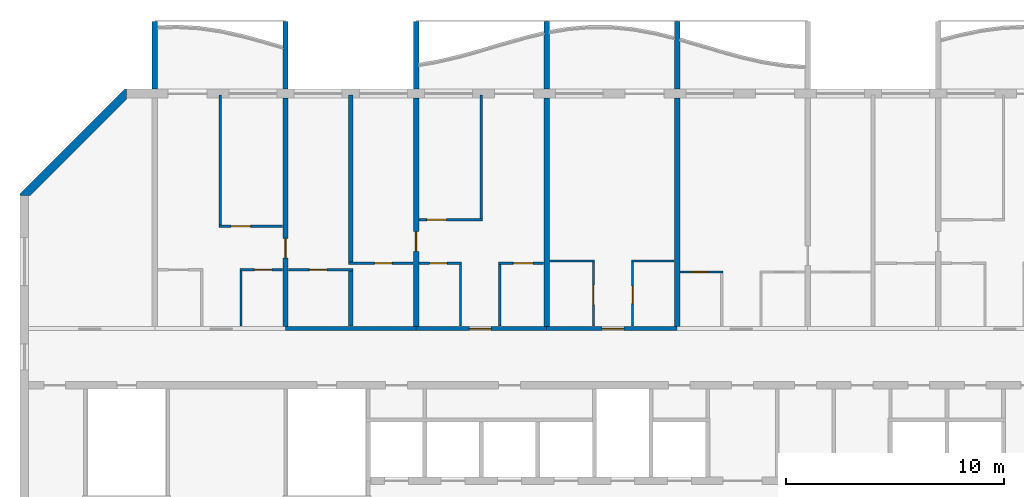
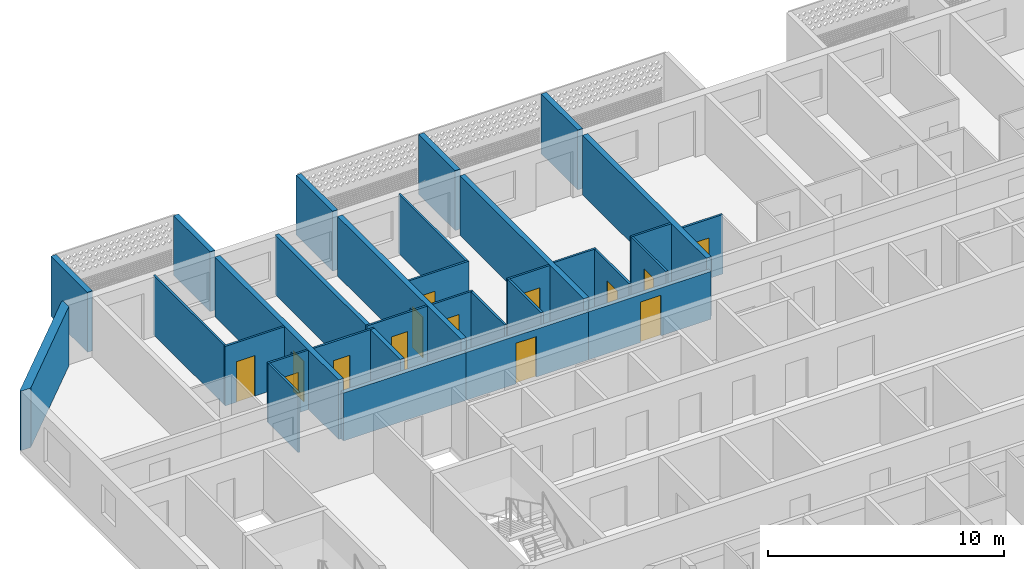
# One storey, part 8 of 29: 32 walls, 14 doors, 14 openings.
"""IFC4 building model written with IfcOpenShell, lengths in metres."""

from ifc_helpers import new_model, si_unit, direction, frame, frame_2d, origin, place, context, subcontext, project, spatial, polyline, rectangle, outline, extrude, source, transform, mapped, material, layer, layer_set, type_object, element, fill, save


model = new_model("IFC4")

# Units and contexts
model_context = context("Model", 3, precision=1e-05, world=origin(), true_north=direction((0.0, 1.0)))
body_context = subcontext(model_context, "Body", "Model", "MODEL_VIEW")
ifc_project = project(units=[si_unit("LENGTHUNIT", "METRE"), si_unit("AREAUNIT", "SQUARE_METRE"), si_unit("VOLUMEUNIT", "CUBIC_METRE"), si_unit("PLANEANGLEUNIT", "RADIAN"), si_unit("MASSUNIT", "GRAM", prefix="KILO")], contexts=[model_context])

# Site, building, storey
site_placement = place(None, origin())
site = spatial("IfcSite", under=ifc_project, at=site_placement, CompositionType="ELEMENT")
building_placement = place(site_placement, origin())
building = spatial("IfcBuilding", under=site, at=building_placement, Name="Poui Terraces", CompositionType="ELEMENT")
storey_placement = place(building_placement, frame((0.0, 0.0, 237.89990234375)))
storey = spatial("IfcBuildingStorey", under=building, at=storey_placement, Name="L66", CompositionType="ELEMENT", Elevation=237.89990234375)

# Wall
ifc_material_1 = material(Name="Concrete 50 MPa", Category="concrete")
ifc_layer_1 = layer(ifc_material_1, 0.199951171875)
ifc_layer_set_1 = layer_set([ifc_layer_1], Name="Concrete 50 MPa")
wall_type_1 = type_object("IfcWallType", Name="CORRIDOR WALL 200 50MPa", PredefinedType="SHEAR", material=ifc_layer_set_1)
wall_1_placement = place(storey_placement, frame((30.0, 30.39990234375, 0.0), z_axis=(0.0, 0.0, 1.0), x_axis=(1.0, 0.0, 0.0)))
element("IfcWall", 1, at=wall_1_placement, inside=storey, type_object=wall_type_1, Name="CORRIDOR WALL LINE E BAY 3", PredefinedType="SHEAR", context=body_context, shape_type="SweptSolid", body=[
    extrude(rectangle(XDim=6.0, YDim=0.199951171875, at=frame_2d((3.0, 0.0))), origin(), (0.0, 0.0, 1.0), 2.47998046875),
])

# Wall, opening, door
wall_2_placement = place(storey_placement, frame((36.0, 30.39990234375, 0.0), z_axis=(0.0, 0.0, 1.0), x_axis=(1.0, 0.0, 0.0)))
wall_2 = element("IfcWall", 2, at=wall_2_placement, inside=storey, type_object=wall_type_1, Name="CORRIDOR WALL LINE E BAY 4", PredefinedType="SHEAR", context=body_context, shape_type="SweptSolid", body=[
    extrude(rectangle(XDim=6.0, YDim=0.199951171875, at=frame_2d((3.0, 0.0))), origin(), (0.0, 0.0, 1.0), 2.47998046875),
])
opening_1_placement = place(wall_2_placement, frame((2.449951171875, 0.0, 0.0)))
opening_1 = element("IfcOpeningElement", 3, at=opening_1_placement, cuts=wall_2, Name="Opening FD30S", PredefinedType="OPENING", context=body_context, shape_type="SweptSolid", body=[
    extrude(rectangle(XDim=1.0, YDim=2.10009765625, at=frame_2d((0.5, 1.050048828125))), frame((0.0, 0.10986328125, 0.0), z_axis=(0.0, -1.0, 0.0), x_axis=(1.0, 0.0, 0.0)), (0.0, 0.0, 1.0), 0.219970703125),
])
ifc_material_2 = material(Name="Steel fire door", Category="steel")
door_type_1 = type_object("IfcDoorType", Name="FLAT ENTRANCE DOOR 1000 X 2100", OperationType="NOTDEFINED", PredefinedType="DOOR", material=ifc_material_2)
door_1_placement = place(opening_1_placement, origin())
door_1 = element("IfcDoor", 4, at=door_1_placement, inside=storey, type_object=door_type_1, Name="FLAT ENTRANCE DOOR 039", OperationType="SINGLE_SWING_LEFT", OverallHeight=2.10009765625, OverallWidth=1.0, PredefinedType="DOOR", context=body_context, shape_type="SweptSolid", body=[
    extrude(rectangle(XDim=1.0, YDim=2.10009765625, at=frame_2d((0.5, 1.050048828125))), frame((0.0, 0.02490234375, 0.0), z_axis=(0.0, -1.0, 0.0), x_axis=(1.0, 0.0, 0.0)), (0.0, 0.0, 1.0), 0.050048828125),
])
fill(opening_1, door_1)

wall_3_placement = place(storey_placement, frame((42.0, 30.39990234375, 0.0), z_axis=(0.0, 0.0, 1.0), x_axis=(1.0, 0.0, 0.0)))
wall_3 = element("IfcWall", 5, at=wall_3_placement, inside=storey, type_object=wall_type_1, Name="CORRIDOR WALL LINE E BAY 5", PredefinedType="SHEAR", context=body_context, shape_type="SweptSolid", body=[
    extrude(rectangle(XDim=6.0, YDim=0.199951171875, at=frame_2d((3.0, 0.0))), origin(), (0.0, 0.0, 1.0), 2.47998046875),
])
opening_2_placement = place(wall_3_placement, frame((2.550048828125, 0.0, 0.0)))
opening_2 = element("IfcOpeningElement", 6, at=opening_2_placement, cuts=wall_3, Name="Opening FD30S", PredefinedType="OPENING", context=body_context, shape_type="SweptSolid", body=[
    extrude(rectangle(XDim=1.0, YDim=2.10009765625, at=frame_2d((0.5, 1.050048828125))), frame((0.0, 0.10986328125, 0.0), z_axis=(0.0, -1.0, 0.0), x_axis=(1.0, 0.0, 0.0)), (0.0, 0.0, 1.0), 0.219970703125),
])
door_2_placement = place(opening_2_placement, origin())
door_2 = element("IfcDoor", 7, at=door_2_placement, inside=storey, type_object=door_type_1, Name="FLAT ENTRANCE DOOR 042", OperationType="SINGLE_SWING_RIGHT", OverallHeight=2.10009765625, OverallWidth=1.0, PredefinedType="DOOR", context=body_context, shape_type="SweptSolid", body=[
    extrude(rectangle(XDim=1.0, YDim=2.10009765625, at=frame_2d((0.5, 1.050048828125))), frame((0.0, 0.02490234375, 0.0), z_axis=(0.0, -1.0, 0.0), x_axis=(1.0, 0.0, 0.0)), (0.0, 0.0, 1.0), 0.050048828125),
])
fill(opening_2, door_2)

ifc_layer_2 = layer(ifc_material_1, 0.25)
ifc_layer_set_2 = layer_set([ifc_layer_2], Name="Concrete 50 MPa")
wall_type_2 = type_object("IfcWallType", Name="CROSS WALL 250 50MPa", PredefinedType="SHEAR", material=ifc_layer_set_2)
wall_4_placement = place(storey_placement, frame((30.0, 30.5, 0.0), z_axis=(0.0, 0.0, 1.0), x_axis=(0.0, 1.0, 0.0)))
wall_4 = element("IfcWall", 8, at=wall_4_placement, inside=storey, type_object=wall_type_2, Name="CROSS WALL LINE 6 NORTH", PredefinedType="SHEAR", context=body_context, shape_type="SweptSolid", body=[
    extrude(rectangle(XDim=10.5, YDim=0.25, at=frame_2d((5.25, 0.0))), origin(), (0.0, 0.0, 1.0), 3.080078125),
])
opening_3_placement = place(wall_4_placement, frame((3.14990234375, 0.0, 0.0)))
opening_3 = element("IfcOpeningElement", 9, at=opening_3_placement, cuts=wall_4, Name="Opening D90", PredefinedType="OPENING", context=body_context, shape_type="SweptSolid", body=[
    extrude(rectangle(XDim=0.89990234375, YDim=2.10009765625, at=frame_2d((0.449951171875, 1.050048828125))), frame((0.0, 0.135009765625, 0.0), z_axis=(0.0, -1.0, 0.0), x_axis=(1.0, 0.0, 0.0)), (0.0, 0.0, 1.0), 0.27001953125),
])
ifc_material_3 = material(Name="Solid core timber door", Category="wood")
door_type_2 = type_object("IfcDoorType", Name="INTERNAL DOOR 900 X 2100", OperationType="NOTDEFINED", PredefinedType="DOOR", material=ifc_material_3)
door_3_placement = place(opening_3_placement, frame((0.89990234375, 0.0, 0.0), z_axis=(0.0, 0.0, 1.0), x_axis=(-1.0, 0.0, 0.0)))
door_3 = element("IfcDoor", 10, at=door_3_placement, inside=storey, type_object=door_type_2, Name="INTERNAL DOOR 034", OperationType="SINGLE_SWING_RIGHT", OverallHeight=2.10009765625, OverallWidth=0.89990234375, PredefinedType="DOOR", context=body_context, shape_type="SweptSolid", body=[
    extrude(rectangle(XDim=0.89990234375, YDim=2.10009765625, at=frame_2d((0.449951171875, 1.050048828125))), frame((0.0, 0.02490234375, 0.0), z_axis=(0.0, -1.0, 0.0), x_axis=(1.0, 0.0, 0.0)), (0.0, 0.0, 1.0), 0.050048828125),
])
fill(opening_3, door_3)

wall_5_placement = place(storey_placement, frame((36.0, 30.5, 0.0), z_axis=(0.0, 0.0, 1.0), x_axis=(0.0, 1.0, 0.0)))
wall_5 = element("IfcWall", 11, at=wall_5_placement, inside=storey, type_object=wall_type_2, Name="CROSS WALL LINE 7 NORTH", PredefinedType="SHEAR", context=body_context, shape_type="SweptSolid", body=[
    extrude(rectangle(XDim=10.5, YDim=0.25, at=frame_2d((5.25, 0.0))), origin(), (0.0, 0.0, 1.0), 3.080078125),
])
opening_4_placement = place(wall_5_placement, frame((3.449951171875, 0.0, 0.0)))
opening_4 = element("IfcOpeningElement", 12, at=opening_4_placement, cuts=wall_5, Name="Opening D90", PredefinedType="OPENING", context=body_context, shape_type="SweptSolid", body=[
    extrude(rectangle(XDim=0.89990234375, YDim=2.10009765625, at=frame_2d((0.449951171875, 1.050048828125))), frame((0.0, 0.135009765625, 0.0), z_axis=(0.0, -1.0, 0.0), x_axis=(1.0, 0.0, 0.0)), (0.0, 0.0, 1.0), 0.27001953125),
])
door_4_placement = place(opening_4_placement, origin())
door_4 = element("IfcDoor", 13, at=door_4_placement, inside=storey, type_object=door_type_2, Name="INTERNAL DOOR 036", OperationType="SINGLE_SWING_LEFT", OverallHeight=2.10009765625, OverallWidth=0.89990234375, PredefinedType="DOOR", context=body_context, shape_type="SweptSolid", body=[
    extrude(rectangle(XDim=0.89990234375, YDim=2.10009765625, at=frame_2d((0.449951171875, 1.050048828125))), frame((0.0, 0.02490234375, 0.0), z_axis=(0.0, -1.0, 0.0), x_axis=(1.0, 0.0, 0.0)), (0.0, 0.0, 1.0), 0.050048828125),
])
fill(opening_4, door_4)

# Walls
for number, where, z_axis, x_axis, name in (
    (14, (42.0, 30.5, 0.0), (0.0, 0.0, 1.0), (0.0, 1.0, 0.0), "CROSS WALL LINE 8 NORTH"),
    (15, (48.0, 30.5, 0.0), (0.0, 0.0, 1.0), (0.0, 1.0, 0.0), "CROSS WALL LINE 9 NORTH"),
):
    element("IfcWall", number, at=place(storey_placement, frame(where, z_axis=z_axis, x_axis=x_axis)), inside=storey, type_object=wall_type_2, Name=name, PredefinedType="SHEAR", context=body_context, shape_type="SweptSolid", body=[
        extrude(rectangle(XDim=10.5, YDim=0.25, at=frame_2d((5.25, 0.0))), origin(), (0.0, 0.0, 1.0), 3.080078125),
    ])

# Wall, opening, door
ifc_material_4 = material(Name="Plasterboard partition")
ifc_layer_3 = layer(ifc_material_4, 0.10009765625)
ifc_layer_set_3 = layer_set([ifc_layer_3], Name="Plasterboard partition")
wall_type_3 = type_object("IfcWallType", Name="FLAT PARTITION 100", PredefinedType="PARTITIONING", material=ifc_layer_set_3)
wall_6_placement = place(storey_placement, frame((48.135009765625, 33.0, 0.0), z_axis=(0.0, 0.0, 1.0), x_axis=(1.0, 0.0, 0.0)))
wall_6 = element("IfcWall", 16, at=wall_6_placement, inside=storey, type_object=wall_type_3, Name="FLAT PARTITION 100", PredefinedType="PARTITIONING", context=body_context, shape_type="SweptSolid", body=[
    extrude(rectangle(XDim=1.965087890625, YDim=0.10009765625, at=frame_2d((0.982421875, 0.0))), origin(), (0.0, 0.0, 1.0), 3.080078125),
])
opening_5_placement = place(wall_6_placement, frame((0.489990234375, 0.0, 0.0)))
opening_5 = element("IfcOpeningElement", 17, at=opening_5_placement, cuts=wall_6, Name="Opening D80", PredefinedType="OPENING", context=body_context, shape_type="SweptSolid", body=[
    extrude(rectangle(XDim=0.800048828125, YDim=2.10009765625, at=frame_2d((0.39990234375, 1.050048828125))), frame((0.0, 0.06005859375, 0.0), z_axis=(0.0, -1.0, 0.0), x_axis=(1.0, 0.0, 0.0)), (0.0, 0.0, 1.0), 0.1201171875),
])
door_type_3 = type_object("IfcDoorType", Name="BATHROOM, LAUNDRY AND STORE DOOR 800 X 2100", OperationType="NOTDEFINED", PredefinedType="DOOR", material=ifc_material_3)
door_5_placement = place(opening_5_placement, frame((0.800048828125, 0.0, 0.0), z_axis=(0.0, 0.0, 1.0), x_axis=(-1.0, 0.0, 0.0)))
door_5 = element("IfcDoor", 18, at=door_5_placement, inside=storey, type_object=door_type_3, Name="BATHROOM, LAUNDRY AND STORE DOOR 045", OperationType="SINGLE_SWING_LEFT", OverallHeight=2.10009765625, OverallWidth=0.800048828125, PredefinedType="DOOR", context=body_context, shape_type="SweptSolid", body=[
    extrude(rectangle(XDim=0.800048828125, YDim=2.10009765625, at=frame_2d((0.39990234375, 1.050048828125))), frame((0.0, 0.02490234375, 0.0), z_axis=(0.0, -1.0, 0.0), x_axis=(1.0, 0.0, 0.0)), (0.0, 0.0, 1.0), 0.050048828125),
])
fill(opening_5, door_5)

wall_7_placement = place(storey_placement, frame((27.89990234375, 33.10009765625, 0.0), z_axis=(0.0, 0.0, 1.0), x_axis=(1.0, 0.0, 0.0)))
wall_7 = element("IfcWall", 19, at=wall_7_placement, inside=storey, type_object=wall_type_3, Name="FLAT PARTITION 100", PredefinedType="PARTITIONING", context=body_context, shape_type="SweptSolid", body=[
    extrude(rectangle(XDim=1.965087890625, YDim=0.10009765625, at=frame_2d((0.982421875, 0.0))), origin(), (0.0, 0.0, 1.0), 3.080078125),
])
opening_6_placement = place(wall_7_placement, frame((0.675048828125, 0.0, 0.0)))
opening_6 = element("IfcOpeningElement", 20, at=opening_6_placement, cuts=wall_7, Name="Opening D80", PredefinedType="OPENING", context=body_context, shape_type="SweptSolid", body=[
    extrude(rectangle(XDim=0.800048828125, YDim=2.10009765625, at=frame_2d((0.39990234375, 1.050048828125))), frame((0.0, 0.06005859375, 0.0), z_axis=(0.0, -1.0, 0.0), x_axis=(1.0, 0.0, 0.0)), (0.0, 0.0, 1.0), 0.1201171875),
])
door_6_placement = place(opening_6_placement, frame((0.800048828125, 0.0, 0.0), z_axis=(0.0, 0.0, 1.0), x_axis=(-1.0, 0.0, 0.0)))
door_6 = element("IfcDoor", 21, at=door_6_placement, inside=storey, type_object=door_type_3, Name="BATHROOM, LAUNDRY AND STORE DOOR 033", OperationType="SINGLE_SWING_RIGHT", OverallHeight=2.10009765625, OverallWidth=0.800048828125, PredefinedType="DOOR", context=body_context, shape_type="SweptSolid", body=[
    extrude(rectangle(XDim=0.800048828125, YDim=2.10009765625, at=frame_2d((0.39990234375, 1.050048828125))), frame((0.0, 0.02490234375, 0.0), z_axis=(0.0, -1.0, 0.0), x_axis=(1.0, 0.0, 0.0)), (0.0, 0.0, 1.0), 0.050048828125),
])
fill(opening_6, door_6)

wall_8_placement = place(storey_placement, frame((30.135009765625, 33.10009765625, 0.0), z_axis=(0.0, 0.0, 1.0), x_axis=(1.0, 0.0, 0.0)))
wall_8 = element("IfcWall", 22, at=wall_8_placement, inside=storey, type_object=wall_type_3, Name="FLAT PARTITION 100", PredefinedType="PARTITIONING", context=body_context, shape_type="SweptSolid", body=[
    extrude(rectangle(XDim=2.965087890625, YDim=0.10009765625, at=frame_2d((1.482421875, 0.0))), origin(), (0.0, 0.0, 1.0), 3.080078125),
])
opening_7_placement = place(wall_8_placement, frame((0.965087890625, 0.0, 0.0)))
opening_7 = element("IfcOpeningElement", 23, at=opening_7_placement, cuts=wall_8, Name="Opening D80", PredefinedType="OPENING", context=body_context, shape_type="SweptSolid", body=[
    extrude(rectangle(XDim=0.800048828125, YDim=2.10009765625, at=frame_2d((0.39990234375, 1.050048828125))), frame((0.0, 0.06005859375, 0.0), z_axis=(0.0, -1.0, 0.0), x_axis=(1.0, 0.0, 0.0)), (0.0, 0.0, 1.0), 0.1201171875),
])
door_7_placement = place(opening_7_placement, frame((0.800048828125, 0.0, 0.0), z_axis=(0.0, 0.0, 1.0), x_axis=(-1.0, 0.0, 0.0)))
door_7 = element("IfcDoor", 24, at=door_7_placement, inside=storey, type_object=door_type_3, Name="BATHROOM, LAUNDRY AND STORE DOOR 029", OperationType="SINGLE_SWING_LEFT", OverallHeight=2.10009765625, OverallWidth=0.800048828125, PredefinedType="DOOR", context=body_context, shape_type="SweptSolid", body=[
    extrude(rectangle(XDim=0.800048828125, YDim=2.10009765625, at=frame_2d((0.39990234375, 1.050048828125))), frame((0.0, 0.02490234375, 0.0), z_axis=(0.0, -1.0, 0.0), x_axis=(1.0, 0.0, 0.0)), (0.0, 0.0, 1.0), 0.050048828125),
])
fill(opening_7, door_7)

wall_9_placement = place(storey_placement, frame((32.89990234375, 33.39990234375, 0.0), z_axis=(0.0, 0.0, 1.0), x_axis=(1.0, 0.0, 0.0)))
wall_9 = element("IfcWall", 25, at=wall_9_placement, inside=storey, type_object=wall_type_3, Name="FLAT PARTITION 100", PredefinedType="PARTITIONING", context=body_context, shape_type="SweptSolid", body=[
    extrude(rectangle(XDim=2.965087890625, YDim=0.10009765625, at=frame_2d((1.482421875, 0.0))), origin(), (0.0, 0.0, 1.0), 3.080078125),
])
opening_8_placement = place(wall_9_placement, frame((1.199951171875, 0.0, 0.0)))
opening_8 = element("IfcOpeningElement", 26, at=opening_8_placement, cuts=wall_9, Name="Opening D80", PredefinedType="OPENING", context=body_context, shape_type="SweptSolid", body=[
    extrude(rectangle(XDim=0.800048828125, YDim=2.10009765625, at=frame_2d((0.39990234375, 1.050048828125))), frame((0.0, 0.06005859375, 0.0), z_axis=(0.0, -1.0, 0.0), x_axis=(1.0, 0.0, 0.0)), (0.0, 0.0, 1.0), 0.1201171875),
])
door_8_placement = place(opening_8_placement, frame((0.800048828125, 0.0, 0.0), z_axis=(0.0, 0.0, 1.0), x_axis=(-1.0, 0.0, 0.0)))
door_8 = element("IfcDoor", 27, at=door_8_placement, inside=storey, type_object=door_type_3, Name="BATHROOM, LAUNDRY AND STORE DOOR 035", OperationType="SINGLE_SWING_RIGHT", OverallHeight=2.10009765625, OverallWidth=0.800048828125, PredefinedType="DOOR", context=body_context, shape_type="SweptSolid", body=[
    extrude(rectangle(XDim=0.800048828125, YDim=2.10009765625, at=frame_2d((0.39990234375, 1.050048828125))), frame((0.0, 0.02490234375, 0.0), z_axis=(0.0, -1.0, 0.0), x_axis=(1.0, 0.0, 0.0)), (0.0, 0.0, 1.0), 0.050048828125),
])
fill(opening_8, door_8)

wall_10_placement = place(storey_placement, frame((36.135009765625, 33.39990234375, 0.0), z_axis=(0.0, 0.0, 1.0), x_axis=(1.0, 0.0, 0.0)))
wall_10 = element("IfcWall", 28, at=wall_10_placement, inside=storey, type_object=wall_type_3, Name="FLAT PARTITION 100", PredefinedType="PARTITIONING", context=body_context, shape_type="SweptSolid", body=[
    extrude(rectangle(XDim=1.965087890625, YDim=0.10009765625, at=frame_2d((0.982421875, 0.0))), origin(), (0.0, 0.0, 1.0), 3.080078125),
])
opening_9_placement = place(wall_10_placement, frame((0.489990234375, 0.0, 0.0)))
opening_9 = element("IfcOpeningElement", 29, at=opening_9_placement, cuts=wall_10, Name="Opening D80", PredefinedType="OPENING", context=body_context, shape_type="SweptSolid", body=[
    extrude(rectangle(XDim=0.800048828125, YDim=2.10009765625, at=frame_2d((0.39990234375, 1.050048828125))), frame((0.0, 0.06005859375, 0.0), z_axis=(0.0, -1.0, 0.0), x_axis=(1.0, 0.0, 0.0)), (0.0, 0.0, 1.0), 0.1201171875),
])
door_9_placement = place(opening_9_placement, frame((0.800048828125, 0.0, 0.0), z_axis=(0.0, 0.0, 1.0), x_axis=(-1.0, 0.0, 0.0)))
door_9 = element("IfcDoor", 30, at=door_9_placement, inside=storey, type_object=door_type_3, Name="BATHROOM, LAUNDRY AND STORE DOOR 038", OperationType="SINGLE_SWING_RIGHT", OverallHeight=2.10009765625, OverallWidth=0.800048828125, PredefinedType="DOOR", context=body_context, shape_type="SweptSolid", body=[
    extrude(rectangle(XDim=0.800048828125, YDim=2.10009765625, at=frame_2d((0.39990234375, 1.050048828125))), frame((0.0, 0.02490234375, 0.0), z_axis=(0.0, -1.0, 0.0), x_axis=(1.0, 0.0, 0.0)), (0.0, 0.0, 1.0), 0.050048828125),
])
fill(opening_9, door_9)

wall_11_placement = place(storey_placement, frame((39.800048828125, 33.39990234375, 0.0), z_axis=(0.0, 0.0, 1.0), x_axis=(1.0, 0.0, 0.0)))
wall_11 = element("IfcWall", 31, at=wall_11_placement, inside=storey, type_object=wall_type_3, Name="FLAT PARTITION 100", PredefinedType="PARTITIONING", context=body_context, shape_type="SweptSolid", body=[
    extrude(rectangle(XDim=2.06494140625, YDim=0.10009765625, at=frame_2d((1.032470703125, 0.0))), origin(), (0.0, 0.0, 1.0), 3.080078125),
])
opening_10_placement = place(wall_11_placement, frame((0.675048828125, 0.0, 0.0)))
opening_10 = element("IfcOpeningElement", 32, at=opening_10_placement, cuts=wall_11, Name="Opening D90", PredefinedType="OPENING", context=body_context, shape_type="SweptSolid", body=[
    extrude(rectangle(XDim=0.89990234375, YDim=2.10009765625, at=frame_2d((0.449951171875, 1.050048828125))), frame((0.0, 0.06005859375, 0.0), z_axis=(0.0, -1.0, 0.0), x_axis=(1.0, 0.0, 0.0)), (0.0, 0.0, 1.0), 0.1201171875),
])
door_10_placement = place(opening_10_placement, frame((0.89990234375, 0.0, 0.0), z_axis=(0.0, 0.0, 1.0), x_axis=(-1.0, 0.0, 0.0)))
door_10 = element("IfcDoor", 33, at=door_10_placement, inside=storey, type_object=door_type_2, Name="INTERNAL DOOR 040", OperationType="SINGLE_SWING_LEFT", OverallHeight=2.10009765625, OverallWidth=0.89990234375, PredefinedType="DOOR", context=body_context, shape_type="SweptSolid", body=[
    extrude(rectangle(XDim=0.89990234375, YDim=2.10009765625, at=frame_2d((0.449951171875, 1.050048828125))), frame((0.0, 0.02490234375, 0.0), z_axis=(0.0, -1.0, 0.0), x_axis=(1.0, 0.0, 0.0)), (0.0, 0.0, 1.0), 0.050048828125),
])
fill(opening_10, door_10)

# Walls
wall_12_placement = place(storey_placement, frame((42.135009765625, 33.5, 0.0), z_axis=(0.0, 0.0, 1.0), x_axis=(1.0, 0.0, 0.0)))
element("IfcWall", 34, at=wall_12_placement, inside=storey, type_object=wall_type_3, Name="FLAT PARTITION 100", PredefinedType="PARTITIONING", context=body_context, shape_type="SweptSolid", body=[
    extrude(rectangle(XDim=2.06494140625, YDim=0.10009765625, at=frame_2d((1.032470703125, 0.0))), origin(), (0.0, 0.0, 1.0), 3.080078125),
])
wall_13_placement = place(storey_placement, frame((45.89990234375, 33.5, 0.0), z_axis=(0.0, 0.0, 1.0), x_axis=(1.0, 0.0, 0.0)))
element("IfcWall", 35, at=wall_13_placement, inside=storey, type_object=wall_type_3, Name="FLAT PARTITION 100", PredefinedType="PARTITIONING", context=body_context, shape_type="SweptSolid", body=[
    extrude(rectangle(XDim=1.965087890625, YDim=0.10009765625, at=frame_2d((0.982421875, 0.0))), origin(), (0.0, 0.0, 1.0), 3.080078125),
])

# Wall, opening, door
wall_14_placement = place(storey_placement, frame((26.949951171875, 35.10009765625, 0.0), z_axis=(0.0, 0.0, 1.0), x_axis=(1.0, 0.0, 0.0)))
wall_14 = element("IfcWall", 36, at=wall_14_placement, inside=storey, type_object=wall_type_3, Name="FLAT PARTITION 100", PredefinedType="PARTITIONING", context=body_context, shape_type="SweptSolid", body=[
    extrude(rectangle(XDim=2.9150390625, YDim=0.10009765625, at=frame_2d((1.45751953125, 0.0))), origin(), (0.0, 0.0, 1.0), 3.080078125),
])
opening_11_placement = place(wall_14_placement, frame((0.550048828125, 0.0, 0.0)))
opening_11 = element("IfcOpeningElement", 37, at=opening_11_placement, cuts=wall_14, Name="Opening D90", PredefinedType="OPENING", context=body_context, shape_type="SweptSolid", body=[
    extrude(rectangle(XDim=0.89990234375, YDim=2.10009765625, at=frame_2d((0.449951171875, 1.050048828125))), frame((0.0, 0.06005859375, 0.0), z_axis=(0.0, -1.0, 0.0), x_axis=(1.0, 0.0, 0.0)), (0.0, 0.0, 1.0), 0.1201171875),
])
door_11_placement = place(opening_11_placement, frame((0.89990234375, 0.0, 0.0), z_axis=(0.0, 0.0, 1.0), x_axis=(-1.0, 0.0, 0.0)))
door_11 = element("IfcDoor", 38, at=door_11_placement, inside=storey, type_object=door_type_2, Name="INTERNAL DOOR 032", OperationType="SINGLE_SWING_LEFT", OverallHeight=2.10009765625, OverallWidth=0.89990234375, PredefinedType="DOOR", context=body_context, shape_type="SweptSolid", body=[
    extrude(rectangle(XDim=0.89990234375, YDim=2.10009765625, at=frame_2d((0.449951171875, 1.050048828125))), frame((0.0, 0.02490234375, 0.0), z_axis=(0.0, -1.0, 0.0), x_axis=(1.0, 0.0, 0.0)), (0.0, 0.0, 1.0), 0.050048828125),
])
fill(opening_11, door_11)

wall_15_placement = place(storey_placement, frame((36.135009765625, 35.39990234375, 0.0), z_axis=(0.0, 0.0, 1.0), x_axis=(1.0, 0.0, 0.0)))
wall_15 = element("IfcWall", 39, at=wall_15_placement, inside=storey, type_object=wall_type_3, Name="FLAT PARTITION 100", PredefinedType="PARTITIONING", context=body_context, shape_type="SweptSolid", body=[
    extrude(rectangle(XDim=2.9150390625, YDim=0.10009765625, at=frame_2d((1.45751953125, 0.0))), origin(), (0.0, 0.0, 1.0), 3.080078125),
])
opening_12_placement = place(wall_15_placement, frame((0.364990234375, 0.0, 0.0)))
opening_12 = element("IfcOpeningElement", 40, at=opening_12_placement, cuts=wall_15, Name="Opening D90", PredefinedType="OPENING", context=body_context, shape_type="SweptSolid", body=[
    extrude(rectangle(XDim=0.89990234375, YDim=2.10009765625, at=frame_2d((0.449951171875, 1.050048828125))), frame((0.0, 0.06005859375, 0.0), z_axis=(0.0, -1.0, 0.0), x_axis=(1.0, 0.0, 0.0)), (0.0, 0.0, 1.0), 0.1201171875),
])
door_12_placement = place(opening_12_placement, frame((0.89990234375, 0.0, 0.0), z_axis=(0.0, 0.0, 1.0), x_axis=(-1.0, 0.0, 0.0)))
door_12 = element("IfcDoor", 41, at=door_12_placement, inside=storey, type_object=door_type_2, Name="INTERNAL DOOR 037", OperationType="SINGLE_SWING_LEFT", OverallHeight=2.10009765625, OverallWidth=0.89990234375, PredefinedType="DOOR", context=body_context, shape_type="SweptSolid", body=[
    extrude(rectangle(XDim=0.89990234375, YDim=2.10009765625, at=frame_2d((0.449951171875, 1.050048828125))), frame((0.0, 0.02490234375, 0.0), z_axis=(0.0, -1.0, 0.0), x_axis=(1.0, 0.0, 0.0)), (0.0, 0.0, 1.0), 0.050048828125),
])
fill(opening_12, door_12)

# Walls
wall_16_placement = place(storey_placement, frame((27.0, 35.14990234375, 0.0), z_axis=(0.0, 0.0, 1.0), x_axis=(0.0, 1.0, 0.0)))
element("IfcWall", 42, at=wall_16_placement, inside=storey, type_object=wall_type_3, Name="FLAT PARTITION 100", PredefinedType="PARTITIONING", context=body_context, shape_type="SweptSolid", body=[
    extrude(rectangle(XDim=5.989990234375, YDim=0.10009765625, at=frame_2d((2.9951171875, 0.0))), origin(), (0.0, 0.0, 1.0), 3.080078125),
])
wall_17_placement = place(storey_placement, frame((27.949951171875, 30.510009765625, 0.0), z_axis=(0.0, 0.0, 1.0), x_axis=(0.0, 1.0, 0.0)))
element("IfcWall", 43, at=wall_17_placement, inside=storey, type_object=wall_type_3, Name="FLAT PARTITION 100", PredefinedType="PARTITIONING", context=body_context, shape_type="SweptSolid", body=[
    extrude(rectangle(XDim=2.5400390625, YDim=0.10009765625, at=frame_2d((1.27001953125, 0.0))), origin(), (0.0, 0.0, 1.0), 3.080078125),
])
wall_18_placement = place(storey_placement, frame((38.050048828125, 30.510009765625, 0.0), z_axis=(0.0, 0.0, 1.0), x_axis=(0.0, 1.0, 0.0)))
element("IfcWall", 44, at=wall_18_placement, inside=storey, type_object=wall_type_3, Name="FLAT PARTITION 100", PredefinedType="PARTITIONING", context=body_context, shape_type="SweptSolid", body=[
    extrude(rectangle(XDim=2.840087890625, YDim=0.10009765625, at=frame_2d((1.419921875, 0.0))), origin(), (0.0, 0.0, 1.0), 3.080078125),
])
wall_19_placement = place(storey_placement, frame((39.0, 35.449951171875, 0.0), z_axis=(0.0, 0.0, 1.0), x_axis=(0.0, 1.0, 0.0)))
element("IfcWall", 45, at=wall_19_placement, inside=storey, type_object=wall_type_3, Name="FLAT PARTITION 100", PredefinedType="PARTITIONING", context=body_context, shape_type="SweptSolid", body=[
    extrude(rectangle(XDim=5.68994140625, YDim=0.10009765625, at=frame_2d((2.844970703125, 0.0))), origin(), (0.0, 0.0, 1.0), 3.080078125),
])
wall_20_placement = place(storey_placement, frame((39.85009765625, 30.510009765625, 0.0), z_axis=(0.0, 0.0, 1.0), x_axis=(0.0, 1.0, 0.0)))
element("IfcWall", 46, at=wall_20_placement, inside=storey, type_object=wall_type_3, Name="FLAT PARTITION 100", PredefinedType="PARTITIONING", context=body_context, shape_type="SweptSolid", body=[
    extrude(rectangle(XDim=2.840087890625, YDim=0.10009765625, at=frame_2d((1.419921875, 0.0))), origin(), (0.0, 0.0, 1.0), 3.080078125),
])

# Wall, opening, door
wall_21_placement = place(storey_placement, frame((44.14990234375, 30.510009765625, 0.0), z_axis=(0.0, 0.0, 1.0), x_axis=(0.0, 1.0, 0.0)))
wall_21 = element("IfcWall", 47, at=wall_21_placement, inside=storey, type_object=wall_type_3, Name="FLAT PARTITION 100", PredefinedType="PARTITIONING", context=body_context, shape_type="SweptSolid", body=[
    extrude(rectangle(XDim=2.93994140625, YDim=0.10009765625, at=frame_2d((1.469970703125, 0.0))), origin(), (0.0, 0.0, 1.0), 3.080078125),
])
opening_13_placement = place(wall_21_placement, frame((0.989990234375, 0.0, 0.0)))
opening_13 = element("IfcOpeningElement", 48, at=opening_13_placement, cuts=wall_21, Name="Opening D90", PredefinedType="OPENING", context=body_context, shape_type="SweptSolid", body=[
    extrude(rectangle(XDim=0.89990234375, YDim=2.10009765625, at=frame_2d((0.449951171875, 1.050048828125))), frame((0.0, 0.06005859375, 0.0), z_axis=(0.0, -1.0, 0.0), x_axis=(1.0, 0.0, 0.0)), (0.0, 0.0, 1.0), 0.1201171875),
])
door_13_placement = place(opening_13_placement, origin())
door_13 = element("IfcDoor", 49, at=door_13_placement, inside=storey, type_object=door_type_2, Name="INTERNAL DOOR 041", OperationType="SINGLE_SWING_LEFT", OverallHeight=2.10009765625, OverallWidth=0.89990234375, PredefinedType="DOOR", context=body_context, shape_type="SweptSolid", body=[
    extrude(rectangle(XDim=0.89990234375, YDim=2.10009765625, at=frame_2d((0.449951171875, 1.050048828125))), frame((0.0, 0.02490234375, 0.0), z_axis=(0.0, -1.0, 0.0), x_axis=(1.0, 0.0, 0.0)), (0.0, 0.0, 1.0), 0.050048828125),
])
fill(opening_13, door_13)

wall_22_placement = place(storey_placement, frame((45.949951171875, 30.510009765625, 0.0), z_axis=(0.0, 0.0, 1.0), x_axis=(0.0, 1.0, 0.0)))
wall_22 = element("IfcWall", 50, at=wall_22_placement, inside=storey, type_object=wall_type_3, Name="FLAT PARTITION 100", PredefinedType="PARTITIONING", context=body_context, shape_type="SweptSolid", body=[
    extrude(rectangle(XDim=2.93994140625, YDim=0.10009765625, at=frame_2d((1.469970703125, 0.0))), origin(), (0.0, 0.0, 1.0), 3.080078125),
])
opening_14_placement = place(wall_22_placement, frame((1.0400390625, 0.0, 0.0)))
opening_14 = element("IfcOpeningElement", 51, at=opening_14_placement, cuts=wall_22, Name="Opening D80", PredefinedType="OPENING", context=body_context, shape_type="SweptSolid", body=[
    extrude(rectangle(XDim=0.800048828125, YDim=2.10009765625, at=frame_2d((0.39990234375, 1.050048828125))), frame((0.0, 0.06005859375, 0.0), z_axis=(0.0, -1.0, 0.0), x_axis=(1.0, 0.0, 0.0)), (0.0, 0.0, 1.0), 0.1201171875),
])
door_14_placement = place(opening_14_placement, frame((0.800048828125, 0.0, 0.0), z_axis=(0.0, 0.0, 1.0), x_axis=(-1.0, 0.0, 0.0)))
door_14 = element("IfcDoor", 52, at=door_14_placement, inside=storey, type_object=door_type_3, Name="BATHROOM, LAUNDRY AND STORE DOOR 043", OperationType="SINGLE_SWING_LEFT", OverallHeight=2.10009765625, OverallWidth=0.800048828125, PredefinedType="DOOR", context=body_context, shape_type="SweptSolid", body=[
    extrude(rectangle(XDim=0.800048828125, YDim=2.10009765625, at=frame_2d((0.39990234375, 1.050048828125))), frame((0.0, 0.02490234375, 0.0), z_axis=(0.0, -1.0, 0.0), x_axis=(1.0, 0.0, 0.0)), (0.0, 0.0, 1.0), 0.050048828125),
])
fill(opening_14, door_14)

# Walls
ifc_material_5 = material(Name="Fire-rated masonry wall", Category="masonry")
ifc_layer_4 = layer(ifc_material_5, 0.199951171875)
ifc_layer_set_4 = layer_set([ifc_layer_4], Name="Fire-rated masonry wall")
wall_type_4 = type_object("IfcWallType", Name="FLAT PARTY WALL 200", PredefinedType="PARTITIONING", material=ifc_layer_set_4)
wall_23_placement = place(storey_placement, frame((33.0, 30.510009765625, 0.0), z_axis=(0.0, 0.0, 1.0), x_axis=(0.0, 1.0, 0.0)))
element("IfcWall", 53, at=wall_23_placement, inside=storey, type_object=wall_type_4, Name="FLAT PARTY WALL 200", PredefinedType="PARTITIONING", context=body_context, shape_type="SweptSolid", body=[
    extrude(rectangle(XDim=2.5400390625, YDim=0.199951171875, at=frame_2d((1.27001953125, 0.0))), origin(), (0.0, 0.0, 1.0), 3.080078125),
])
wall_24_placement = place(storey_placement, frame((33.0, 33.449951171875, 0.0), z_axis=(0.0, 0.0, 1.0), x_axis=(0.0, 1.0, 0.0)))
element("IfcWall", 54, at=wall_24_placement, inside=storey, type_object=wall_type_4, Name="FLAT PARTY WALL 200", PredefinedType="PARTITIONING", context=body_context, shape_type="SweptSolid", body=[
    extrude(rectangle(XDim=7.68994140625, YDim=0.199951171875, at=frame_2d((3.844970703125, 0.0))), origin(), (0.0, 0.0, 1.0), 3.080078125),
])
ifc_material_6 = material(Name="Precast concrete 40 MPa", Category="concrete")
ifc_layer_5 = layer(ifc_material_6, 0.39990234375)
ifc_layer_set_5 = layer_set([ifc_layer_5], Name="Precast concrete 40 MPa")
wall_type_5 = type_object("IfcWallType", Name="TERRACOTTA CLAD CHAMFER WALL 400", PredefinedType="STANDARD", material=ifc_layer_set_5)
wall_25_placement = place(storey_placement, origin())
element("IfcWall", 55, at=wall_25_placement, inside=storey, type_object=wall_type_5, Name="CHAMFER WALL CH05", PredefinedType="STANDARD", context=body_context, shape_type="SweptSolid", body=[
    extrude(outline(polyline([(22.682861328125, 41.39990234375), (22.60009765625, 41.39990234375), (17.800048828125, 36.60009765625), (17.800048828125, 36.51708984375), (18.28271484375, 36.51708984375), (22.682861328125, 40.917236328125), (22.682861328125, 41.39990234375)])), origin(), (0.0, 0.0, 1.0), 3.080078125),
])
ifc_layer_6 = layer(ifc_material_6, 0.25)
ifc_layer_set_6 = layer_set([ifc_layer_6], Name="Precast concrete 40 MPa")
wall_type_6 = type_object("IfcWallType", Name="BALCONY FIN 250", PredefinedType="STANDARD", material=ifc_layer_set_6)
shared_shape = source(origin(), body_context, "Body", "SweptSolid", [
    extrude(outline(polyline([(0.0, 0.0), (0.25, 0.0), (0.25, 3.10009765625), (0.0, 3.10009765625), (0.0, 0.0)])), origin(), (0.0, 0.0, 1.0), 3.10009765625),
])
for number, where, name in (
    (56, (23.875, 41.39990234375, 0.0), "BALCONY FIN"),
    (57, (29.875, 41.39990234375, 0.0), "BALCONY FIN"),
    (58, (35.875, 41.39990234375, 0.0), "BALCONY FIN"),
    (59, (41.875, 41.39990234375, 0.0), "BALCONY FIN"),
    (60, (47.875, 41.39990234375, 0.0), "BALCONY FIN"),
):
    element("IfcWall", number, at=place(storey_placement, frame(where)), inside=storey, type_object=wall_type_6, Name=name, PredefinedType="STANDARD", context=body_context, shape_type="MappedRepresentation", body=[
        mapped(shared_shape, transform((0.0, 0.0, 0.0))),
    ])

save(model, "model.ifc")
